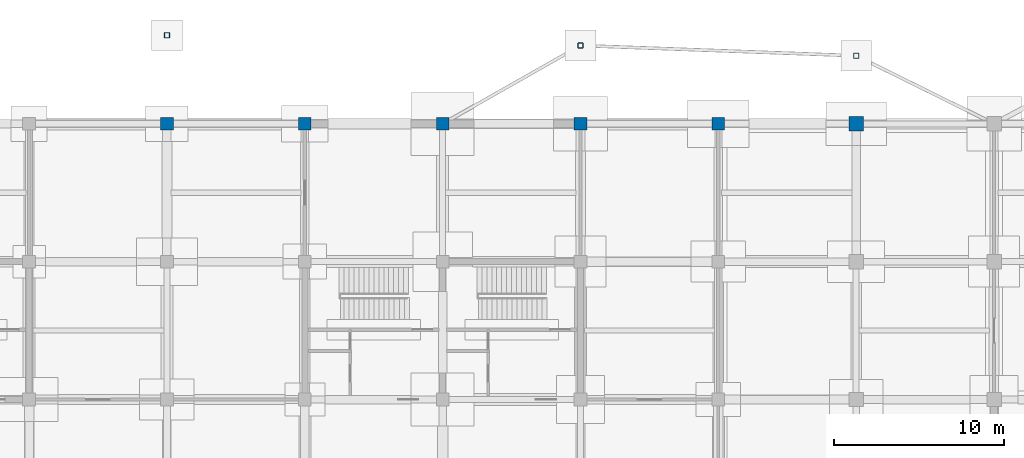
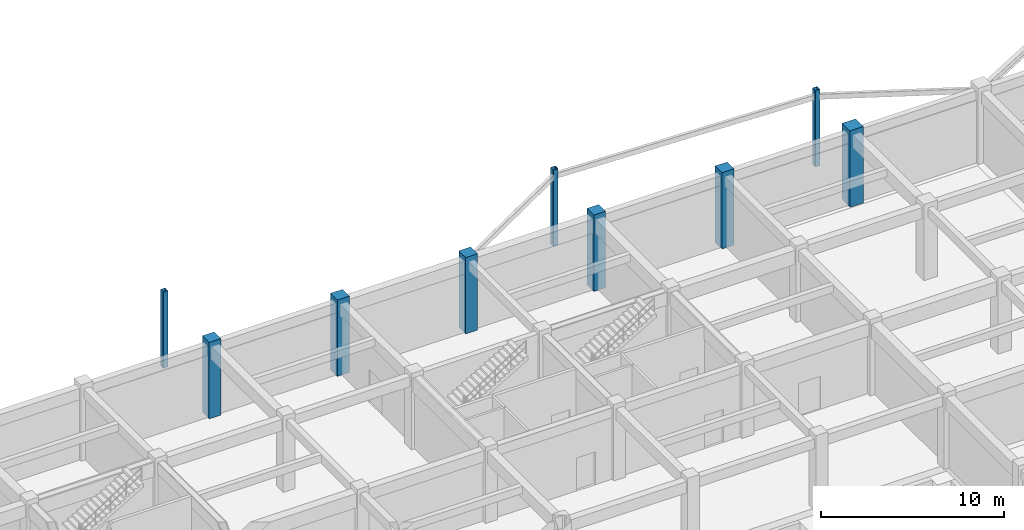
# One storey, part 31 of 67: 9 columns.
"""IFC4 building model written with IfcOpenShell, lengths in metres."""

from ifc_helpers import new_model, si_unit, direction, frame, origin, origin_2d, place, context, subcontext, project, spatial, rectangle, hollow_rectangle, extrude, material, material_profile, profile_set, type_object, element, save


model = new_model("IFC4")

# Units and contexts
model_context = context("Model", 3, precision=1e-05, world=origin(), true_north=direction((0.0, 1.0)))
body_context = subcontext(model_context, "Body", "Model", "MODEL_VIEW")
ifc_project = project(units=[si_unit("LENGTHUNIT", "METRE"), si_unit("AREAUNIT", "SQUARE_METRE"), si_unit("VOLUMEUNIT", "CUBIC_METRE"), si_unit("PLANEANGLEUNIT", "RADIAN"), si_unit("MASSUNIT", "GRAM", prefix="KILO")], contexts=[model_context])

# Site, building, storey
site_placement = place(None, origin())
site = spatial("IfcSite", under=ifc_project, at=site_placement, CompositionType="ELEMENT")
building_placement = place(site_placement, origin())
building = spatial("IfcBuilding", under=site, at=building_placement, Name="Vaudrelin Polytechnic", CompositionType="ELEMENT")
storey_placement = place(building_placement, frame((0.0, 0.0, -5.10009765625)))
storey = spatial("IfcBuildingStorey", under=building, at=storey_placement, Name="B1", CompositionType="ELEMENT", Elevation=-5.10009765625)

# Columns
ifc_material_1 = material(Name="Steel CSA G40.21 350WT", Category="steel")
ifc_material_profile_1 = material_profile(ifc_material_1, hollow_rectangle(XDim=0.304931640625, YDim=0.304931640625, WallThickness=0.0126953125, InnerFilletRadius=0.0126953125, OuterFilletRadius=0.025390625, at=origin_2d()), Name="HSS305x305x12.7")
ifc_profile_set_1 = profile_set([ifc_material_profile_1], Name="Steel CSA G40.21 350WT")
column_type_1 = type_object("IfcColumnType", Name="COL-C-HSS305", PredefinedType="COLUMN", material=ifc_profile_set_1)
for number, where, z_axis, x_axis, name in (
    (1, (97.199951171875, 126.699951171875, 0.0), (0.0, 0.0, 1.0), (1.0, 0.0, 0.0), "Deconstructivist column B1 N_OR2_2"),
    (2, (121.5, 126.10009765625, 0.0), (0.0, 0.0, 1.0), (1.0, 0.0, 0.0), "Deconstructivist column B1 N_OR3_1"),
    (3, (137.699951171875, 125.5, 0.0), (0.0, 0.0, 1.0), (1.0, 0.0, 0.0), "Deconstructivist column B1 N_OR3_2"),
):
    element("IfcColumn", number, at=place(storey_placement, frame(where, z_axis=z_axis, x_axis=x_axis)), inside=storey, type_object=column_type_1, Name=name, PredefinedType="COLUMN", context=body_context, shape_type="SweptSolid", body=[
        extrude(hollow_rectangle(XDim=0.304931640625, YDim=0.304931640625, WallThickness=0.0126953125, InnerFilletRadius=0.0126953125, OuterFilletRadius=0.025390625, at=origin_2d()), origin(), (0.0, 0.0, 1.0), 5.10009765625),
    ])
ifc_material_2 = material(Name="Concrete 50 MPa", Category="concrete")
ifc_material_profile_2 = material_profile(ifc_material_2, rectangle(XDim=0.75, YDim=0.75, at=origin_2d()), Name="RC750x750")
ifc_profile_set_2 = profile_set([ifc_material_profile_2], Name="Concrete 50 MPa")
column_type_2 = type_object("IfcColumnType", Name="COL-C-RC750", PredefinedType="COLUMN", material=ifc_profile_set_2)
for number, where, z_axis, x_axis, name in (
    (4, (97.199951171875, 121.5, 0.0), (0.0, 0.0, 1.0), (1.0, 0.0, 0.0), "Column B1 13-16"),
    (5, (105.300048828125, 121.5, 0.0), (0.0, 0.0, 1.0), (1.0, 0.0, 0.0), "Column B1 14-16"),
    (6, (113.39990234375, 121.5, 0.0), (0.0, 0.0, 1.0), (1.0, 0.0, 0.0), "Column B1 15-16"),
    (7, (121.5, 121.5, 0.0), (0.0, 0.0, 1.0), (1.0, 0.0, 0.0), "Column B1 16-16"),
    (8, (129.60009765625, 121.5, 0.0), (0.0, 0.0, 1.0), (1.0, 0.0, 0.0), "Column B1 17-16"),
):
    element("IfcColumn", number, at=place(storey_placement, frame(where, z_axis=z_axis, x_axis=x_axis)), inside=storey, type_object=column_type_2, Name=name, PredefinedType="COLUMN", context=body_context, shape_type="SweptSolid", body=[
        extrude(rectangle(XDim=0.75, YDim=0.75, at=origin_2d()), origin(), (0.0, 0.0, 1.0), 5.10009765625),
    ])
ifc_material_profile_3 = material_profile(ifc_material_2, rectangle(XDim=0.85009765625, YDim=0.85009765625, at=origin_2d()), Name="RC850x850")
ifc_profile_set_3 = profile_set([ifc_material_profile_3], Name="Concrete 50 MPa")
column_type_3 = type_object("IfcColumnType", Name="COL-C-RC850", PredefinedType="COLUMN", material=ifc_profile_set_3)
column_placement = place(storey_placement, frame((137.699951171875, 121.5, 0.0), z_axis=(0.0, 0.0, 1.0), x_axis=(1.0, 0.0, 0.0)))
element("IfcColumn", 9, at=column_placement, inside=storey, type_object=column_type_3, Name="Column B1 18-16", PredefinedType="COLUMN", context=body_context, shape_type="SweptSolid", body=[
    extrude(rectangle(XDim=0.85009765625, YDim=0.85009765625, at=origin_2d()), origin(), (0.0, 0.0, 1.0), 5.10009765625),
])

save(model, "model.ifc")
